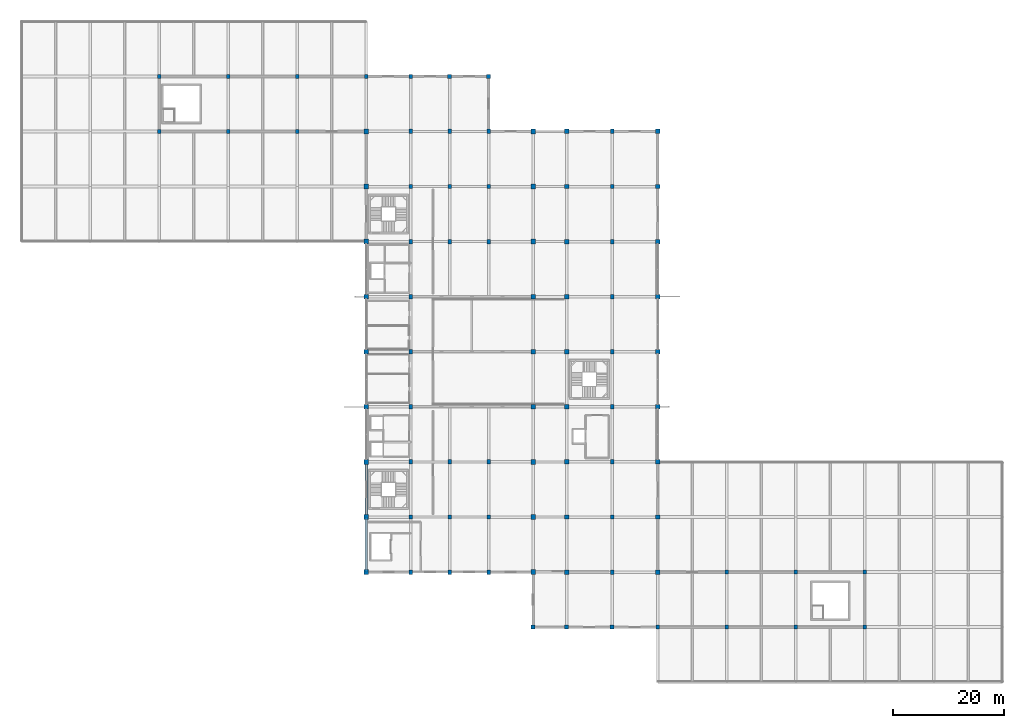
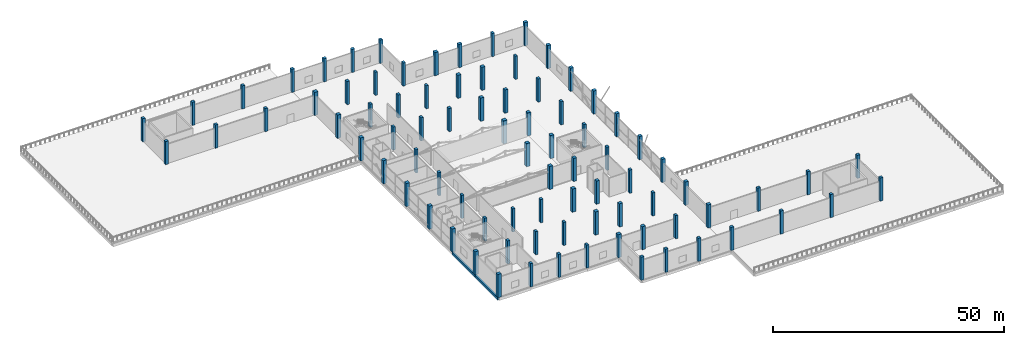
# One storey, part 1 of 46: 86 columns, 2 beams.
"""IFC4 building model written with IfcOpenShell, lengths in metres."""

import ifcopenshell
import ifcopenshell.guid

model = None  # the IFC model being written
_history = None  # IfcOwnerHistory: only IFC2X3 demands one
_inside = {}  # id of a spatial element -> (the spatial element, [elements in it])
_under = {}  # id of a project, library or spatial element -> (it, [spatial elements below it])
_declared = {}  # id of a project -> (the project, [libraries it declares])
_typed = {}  # id of a type object -> (the type object, [elements of that type])
_made_of = {}  # id of a material, layer set ... -> (it, [elements and type objects made of it])


def new_model(schema):
    """Start an empty IFC model of exactly this schema.

    Asked for "IFC4X3", IfcOpenShell would pick the latest addendum, in which some entities
    have other attributes; the version numbers below select the first issue.
    IFC2X3 requires an IfcOwnerHistory on every rooted entity: one is made here for all.
    """
    global model, _history
    if schema == "IFC4X3":
        model = ifcopenshell.file(schema_version=(4, 3, 0, 0))
    else:
        model = ifcopenshell.file(schema=schema)
    _inside.clear()
    _under.clear()
    _declared.clear()
    _typed.clear()
    _made_of.clear()
    _history = None
    if model.schema == "IFC2X3":
        org = make("IfcOrganization", Name="unknown")
        user = make(
            "IfcPersonAndOrganization",
            ThePerson=make("IfcPerson", FamilyName="unknown"),
            TheOrganization=org,
        )
        app = make(
            "IfcApplication",
            ApplicationDeveloper=org,
            Version="unknown",
            ApplicationFullName="unknown",
            ApplicationIdentifier="unknown",
        )
        _history = make(
            "IfcOwnerHistory",
            OwningUser=user,
            OwningApplication=app,
            ChangeAction="ADDED",
            CreationDate=0,
        )
    return model


def make(cls, **values):
    """One entity of the class cls with the attributes given. An attribute that is None is left unset."""
    return model.create_entity(
        cls, **{name: value for name, value in values.items() if value is not None}
    )


def rooted(cls, **values):
    """An entity with a GlobalId (a new one), such as an element, a storey or a relation."""
    return make(cls, GlobalId=ifcopenshell.guid.new(), OwnerHistory=_history, **values)


def si_unit(unit_type, name, prefix=None):
    """IfcSIUnit, for example si_unit("LENGTHUNIT", "METRE", prefix="MILLI")."""
    return make("IfcSIUnit", UnitType=unit_type, Prefix=prefix, Name=name)


def assignment(units):
    """IfcUnitAssignment: the units of a project."""
    return None if units is None else make("IfcUnitAssignment", Units=units)


def point(xyz):
    """IfcCartesianPoint."""
    return None if xyz is None else make("IfcCartesianPoint", Coordinates=xyz)


def direction(xyz):
    """IfcDirection."""
    return None if xyz is None else make("IfcDirection", DirectionRatios=xyz)


def frame(location, z_axis=None, x_axis=None):
    """IfcAxis2Placement3D, a coordinate frame: its origin and axes. An axis left out is left unset."""
    return make(
        "IfcAxis2Placement3D",
        Location=point(location),
        Axis=direction(z_axis),
        RefDirection=direction(x_axis),
    )


def frame_2d(location, x_axis=None):
    """IfcAxis2Placement2D, a coordinate frame in the plane: its origin and x axis."""
    return make(
        "IfcAxis2Placement2D", Location=point(location), RefDirection=direction(x_axis)
    )


def origin():
    """The frame at (0, 0, 0) with its axes left unset."""
    return frame((0.0, 0.0, 0.0))


def origin_2d():
    """The frame at (0, 0) in the plane with its x axis left unset."""
    return frame_2d((0.0, 0.0))


def place(relative_to, where):
    """IfcLocalPlacement: puts the frame where relative to a parent placement (None: the world)."""
    return make(
        "IfcLocalPlacement", PlacementRelTo=relative_to, RelativePlacement=where
    )


def context(
    kind, dimensions, precision=None, world=None, true_north=None, identifier=None
):
    """IfcGeometricRepresentationContext, for example the 3D "Model" context."""
    return make(
        "IfcGeometricRepresentationContext",
        ContextIdentifier=identifier,
        ContextType=kind,
        CoordinateSpaceDimension=dimensions,
        Precision=precision,
        WorldCoordinateSystem=world,
        TrueNorth=true_north,
    )


def subcontext(parent, identifier, kind, view, scale=None):
    """IfcGeometricRepresentationSubContext, for example "Body" below "Model"."""
    return make(
        "IfcGeometricRepresentationSubContext",
        ContextIdentifier=identifier,
        ContextType=kind,
        ParentContext=parent,
        TargetScale=scale,
        TargetView=view,
    )


def project(units=None, contexts=None):
    """IfcProject with its units and contexts."""
    return rooted(
        "IfcProject",
        Name="project",
        RepresentationContexts=contexts,
        UnitsInContext=assignment(units),
    )


def spatial(cls, under=None, at=None, **own):
    """A site, building, storey or space (cls), placed at a placement, below another one or the project."""
    s = rooted(cls, ObjectPlacement=at, **own)
    if under is not None:
        _under.setdefault(under.id(), (under, []))[1].append(s)
    return s


def profile(cls, at=None, kind="AREA", **sizes):
    """A parametric profile (cls). Its sizes go by their IFC names, for example OverallWidth=200.0."""
    return make(cls, ProfileType=kind, Position=at, **sizes)


def rectangle(**sizes):
    """IfcRectangleProfileDef."""
    return profile("IfcRectangleProfileDef", **sizes)


def extrude(swept, where, along, depth):
    """IfcExtrudedAreaSolid: the profile swept, set in the frame where, extruded along a direction by depth."""
    return make(
        "IfcExtrudedAreaSolid",
        SweptArea=swept,
        Position=where,
        ExtrudedDirection=direction(along),
        Depth=depth,
    )


def shape(context_of_items, identifier, shape_type, items):
    """IfcShapeRepresentation: the items that make up one representation, for example the "Body"."""
    return make(
        "IfcShapeRepresentation",
        ContextOfItems=context_of_items,
        RepresentationIdentifier=identifier,
        RepresentationType=shape_type,
        Items=items,
    )


def material(Name=None, Category=None):
    """IfcMaterial."""
    return make("IfcMaterial", Name=Name, Category=Category)


def material_profile(
    of_material, cross_section, Name=None, Category=None, Priority=None
):
    """IfcMaterialProfile: a cross section and its material."""
    return make(
        "IfcMaterialProfile",
        Name=Name,
        Material=of_material,
        Profile=cross_section,
        Priority=Priority,
        Category=Category,
    )


def profile_set(profiles, Name=None, composite=None):
    """IfcMaterialProfileSet."""
    return make(
        "IfcMaterialProfileSet",
        Name=Name,
        MaterialProfiles=profiles,
        CompositeProfile=composite,
    )


def made_of(thing, what):
    """Note that an element or type object is made of a material, layer set ...; save() writes the relation."""
    if what is not None:
        _made_of.setdefault(what.id(), (what, []))[1].append(thing)
    return thing


def type_object(cls, material=None, **own):
    """A type object (cls), such as IfcWallType, which elements share."""
    return made_of(rooted(cls, **own), material)


def element(
    cls,
    number,
    at=None,
    inside=None,
    cuts=None,
    type_object=None,
    material=None,
    context=None,
    identifier="Body",
    shape_type=None,
    held_by="IfcProductDefinitionShape",
    body=None,
    shapes=None,
    **own,
):
    """One element of the class cls, such as IfcWall. Its Tag is "e" and its number.

    at: its placement. inside: the storey or other place that contains it. cuts: it is an
    opening in that element (IfcRelVoidsElement). A single representation is given by context,
    identifier, shape_type and body (its items); several are given by shapes. held_by: the class
    of the entity that holds the representations. save() writes the other relations.
    """
    e = rooted(cls, Tag="e%d" % number, ObjectPlacement=at, **own)
    if body is not None:
        shapes = [shape(context, identifier, shape_type, body)]
    if shapes is not None:
        e.Representation = make(held_by, Representations=shapes)
    if inside is not None:
        _inside.setdefault(inside.id(), (inside, []))[1].append(e)
    if cuts is not None:
        rooted(
            "IfcRelVoidsElement", RelatingBuildingElement=cuts, RelatedOpeningElement=e
        )
    if type_object is not None:
        _typed.setdefault(type_object.id(), (type_object, []))[1].append(e)
    return made_of(e, material)


def aggregate(whole, parts):
    """IfcRelAggregates: a whole, such as a stair, and the parts it consists of."""
    return rooted("IfcRelAggregates", RelatingObject=whole, RelatedObjects=parts)


def save(model, path):
    """Write the relations noted so far, then the file.

    IfcRelAggregates (storeys below a building ...), IfcRelContainedInSpatialStructure (elements
    in a storey), IfcRelDefinesByType, IfcRelAssociatesMaterial and IfcRelDeclares: one each for
    every whole, place, type object, material and project.
    """
    for whole, parts in _under.values():
        aggregate(whole, parts)
    for where, things in _inside.values():
        rooted(
            "IfcRelContainedInSpatialStructure",
            RelatedElements=things,
            RelatingStructure=where,
        )
    for kind, things in _typed.values():
        rooted("IfcRelDefinesByType", RelatedObjects=things, RelatingType=kind)
    for what, things in _made_of.values():
        rooted("IfcRelAssociatesMaterial", RelatedObjects=things, RelatingMaterial=what)
    for by, libraries in _declared.values():
        rooted("IfcRelDeclares", RelatingContext=by, RelatedDefinitions=libraries)
    model.write(path)


model = new_model("IFC4")

# Units and contexts
model_context = context("Model", 3, precision=1e-05, world=origin(), true_north=direction((0.0, 1.0)))
body_context = subcontext(model_context, "Body", "Model", "MODEL_VIEW")
ifc_project = project(units=[si_unit("LENGTHUNIT", "METRE"), si_unit("AREAUNIT", "SQUARE_METRE"), si_unit("VOLUMEUNIT", "CUBIC_METRE"), si_unit("PLANEANGLEUNIT", "RADIAN"), si_unit("MASSUNIT", "GRAM", prefix="KILO")], contexts=[model_context])

# Site, building, storey
site_placement = place(None, origin())
site = spatial("IfcSite", under=ifc_project, at=site_placement, CompositionType="ELEMENT")
building_placement = place(site_placement, origin())
building = spatial("IfcBuilding", under=site, at=building_placement, Name="Sillaruma Civic Art Gallery", CompositionType="ELEMENT")
storey_placement = place(building_placement, frame((0.0, 0.0, 16.320068359375)))
storey = spatial("IfcBuildingStorey", under=building, at=storey_placement, Name="L03", CompositionType="ELEMENT", Elevation=16.320068359375)

# Columns
ifc_material_1 = material(Name="Concrete H40 (40 MPa)", Category="concrete")
ifc_material_profile_1 = material_profile(ifc_material_1, rectangle(XDim=0.699951171875, YDim=0.699951171875, at=origin_2d()), Name="RC700x700")
ifc_profile_set_1 = profile_set([ifc_material_profile_1], Name="Concrete H40 (40 MPa)")
column_type_1 = type_object("IfcColumnType", Name="COL-COLUMN-RC700x700", PredefinedType="COLUMN", material=ifc_profile_set_1)
for number, where, z_axis, x_axis, name in (
    (1, (24.800048828125, 99.0, 0.0), (0.0, 0.0, 1.0), (1.0, 0.0, 0.0), "Column C-06 (L03:C11)"),
    (2, (24.800048828125, 108.89990234375, 0.0), (0.0, 0.0, 1.0), (1.0, 0.0, 0.0), "Column C-06 (L03:C12)"),
    (3, (37.199951171875, 99.0, 0.0), (0.0, 0.0, 1.0), (1.0, 0.0, 0.0), "Column C-06 (L03:D11)"),
    (4, (37.199951171875, 108.89990234375, 0.0), (0.0, 0.0, 1.0), (1.0, 0.0, 0.0), "Column C-06 (L03:D12)"),
    (5, (49.60009765625, 99.0, 0.0), (0.0, 0.0, 1.0), (1.0, 0.0, 0.0), "Column C-06 (L03:E11)"),
    (6, (49.60009765625, 108.89990234375, 0.0), (0.0, 0.0, 1.0), (1.0, 0.0, 0.0), "Column C-06 (L03:E12)"),
    (7, (62.0, 108.89990234375, 0.0), (0.0, 0.0, 1.0), (1.0, 0.0, 0.0), "Column C-06 (L03:F12)"),
    (8, (70.0, 108.89990234375, 0.0), (0.0, 0.0, 1.0), (1.0, 0.0, 0.0), "Column C-06 (L03:G12)"),
    (9, (77.0, 108.89990234375, 0.0), (0.0, 0.0, 1.0), (1.0, 0.0, 0.0), "Column C-06 (L03:H12)"),
    (10, (84.0, 108.89990234375, 0.0), (0.0, 0.0, 1.0), (1.0, 0.0, 0.0), "Column C-06 (L03:J12)"),
    (11, (92.0, 9.89990234375, 0.0), (0.0, 0.0, 1.0), (1.0, 0.0, 0.0), "Column C-06 (L03:K2)"),
    (12, (98.0, 9.89990234375, 0.0), (0.0, 0.0, 1.0), (1.0, 0.0, 0.0), "Column C-06 (L03:L2)"),
    (13, (106.199951171875, 9.89990234375, 0.0), (0.0, 0.0, 1.0), (1.0, 0.0, 0.0), "Column C-06 (L03:M2)"),
    (14, (114.39990234375, 9.89990234375, 0.0), (0.0, 0.0, 1.0), (1.0, 0.0, 0.0), "Column C-06 (L03:N2)"),
    (15, (126.800048828125, 9.89990234375, 0.0), (0.0, 0.0, 1.0), (1.0, 0.0, 0.0), "Column C-06 (L03:P2)"),
    (16, (126.800048828125, 19.800048828125, 0.0), (0.0, 0.0, 1.0), (1.0, 0.0, 0.0), "Column C-06 (L03:P3)"),
    (17, (139.199951171875, 9.89990234375, 0.0), (0.0, 0.0, 1.0), (1.0, 0.0, 0.0), "Column C-06 (L03:Q2)"),
    (18, (139.199951171875, 19.800048828125, 0.0), (0.0, 0.0, 1.0), (1.0, 0.0, 0.0), "Column C-06 (L03:Q3)"),
    (19, (151.60009765625, 9.89990234375, 0.0), (0.0, 0.0, 1.0), (1.0, 0.0, 0.0), "Column C-06 (L03:R2)"),
    (20, (151.60009765625, 19.800048828125, 0.0), (0.0, 0.0, 1.0), (1.0, 0.0, 0.0), "Column C-06 (L03:R3)"),
):
    element("IfcColumn", number, at=place(storey_placement, frame(where, z_axis=z_axis, x_axis=x_axis)), inside=storey, type_object=column_type_1, Name=name, PredefinedType="COLUMN", context=body_context, shape_type="SweptSolid", body=[
        extrude(rectangle(XDim=0.699951171875, YDim=0.699951171875, at=origin_2d()), origin(), (0.0, 0.0, 1.0), 6.119873046875),
    ])
ifc_material_profile_2 = material_profile(ifc_material_1, rectangle(XDim=0.60009765625, YDim=0.800048828125, at=origin_2d()), Name="RC800x600")
ifc_profile_set_2 = profile_set([ifc_material_profile_2], Name="Concrete H40 (40 MPa)")
column_type_2 = type_object("IfcColumnType", Name="COL-COLUMN-RC800x600", PredefinedType="COLUMN", material=ifc_profile_set_2)
for number, where, z_axis, x_axis, name in (
    (21, (70.0, 19.800048828125, 0.0), (0.0, 0.0, 1.0), (1.0, 0.0, 0.0), "Column C-10 (L03:G3)"),
    (22, (70.0, 29.699951171875, 0.0), (0.0, 0.0, 1.0), (1.0, 0.0, 0.0), "Column C-10 (L03:G4)"),
    (23, (70.0, 39.60009765625, 0.0), (0.0, 0.0, 1.0), (1.0, 0.0, 0.0), "Column C-10 (L03:G5)"),
    (24, (70.0, 49.5, 0.0), (0.0, 0.0, 1.0), (1.0, 0.0, 0.0), "Column C-10 (L03:G6)"),
    (25, (70.0, 59.39990234375, 0.0), (0.0, 0.0, 1.0), (1.0, 0.0, 0.0), "Column C-10 (L03:G7)"),
    (26, (70.0, 69.300048828125, 0.0), (0.0, 0.0, 1.0), (1.0, 0.0, 0.0), "Column C-10 (L03:G8)"),
    (27, (70.0, 79.199951171875, 0.0), (0.0, 0.0, 1.0), (1.0, 0.0, 0.0), "Column C-10 (L03:G9)"),
    (28, (70.0, 89.10009765625, 0.0), (0.0, 0.0, 1.0), (1.0, 0.0, 0.0), "Column C-10 (L03:G10)"),
    (29, (70.0, 99.0, 0.0), (0.0, 0.0, 1.0), (1.0, 0.0, 0.0), "Column C-10 (L03:G11)"),
    (30, (77.0, 19.800048828125, 0.0), (0.0, 0.0, 1.0), (1.0, 0.0, 0.0), "Column C-10 (L03:H3)"),
    (31, (77.0, 29.699951171875, 0.0), (0.0, 0.0, 1.0), (1.0, 0.0, 0.0), "Column C-10 (L03:H4)"),
    (32, (77.0, 39.60009765625, 0.0), (0.0, 0.0, 1.0), (1.0, 0.0, 0.0), "Column C-10 (L03:H5)"),
    (33, (77.0, 79.199951171875, 0.0), (0.0, 0.0, 1.0), (1.0, 0.0, 0.0), "Column C-10 (L03:H9)"),
    (34, (77.0, 89.10009765625, 0.0), (0.0, 0.0, 1.0), (1.0, 0.0, 0.0), "Column C-10 (L03:H10)"),
    (35, (77.0, 99.0, 0.0), (0.0, 0.0, 1.0), (1.0, 0.0, 0.0), "Column C-10 (L03:H11)"),
    (36, (84.0, 19.800048828125, 0.0), (0.0, 0.0, 1.0), (1.0, 0.0, 0.0), "Column C-10 (L03:J3)"),
    (37, (84.0, 29.699951171875, 0.0), (0.0, 0.0, 1.0), (1.0, 0.0, 0.0), "Column C-10 (L03:J4)"),
    (38, (84.0, 39.60009765625, 0.0), (0.0, 0.0, 1.0), (1.0, 0.0, 0.0), "Column C-10 (L03:J5)"),
    (39, (84.0, 79.199951171875, 0.0), (0.0, 0.0, 1.0), (1.0, 0.0, 0.0), "Column C-10 (L03:J9)"),
    (40, (84.0, 89.10009765625, 0.0), (0.0, 0.0, 1.0), (1.0, 0.0, 0.0), "Column C-10 (L03:J10)"),
    (41, (84.0, 99.0, 0.0), (0.0, 0.0, 1.0), (1.0, 0.0, 0.0), "Column C-10 (L03:J11)"),
    (42, (106.199951171875, 19.800048828125, 0.0), (0.0, 0.0, 1.0), (1.0, 0.0, 0.0), "Column C-10 (L03:M3)"),
    (43, (106.199951171875, 29.699951171875, 0.0), (0.0, 0.0, 1.0), (1.0, 0.0, 0.0), "Column C-10 (L03:M4)"),
    (44, (106.199951171875, 39.60009765625, 0.0), (0.0, 0.0, 1.0), (1.0, 0.0, 0.0), "Column C-10 (L03:M5)"),
    (45, (106.199951171875, 49.5, 0.0), (0.0, 0.0, 1.0), (1.0, 0.0, 0.0), "Column C-10 (L03:M6)"),
    (46, (106.199951171875, 59.39990234375, 0.0), (0.0, 0.0, 1.0), (1.0, 0.0, 0.0), "Column C-10 (L03:M7)"),
    (47, (106.199951171875, 69.300048828125, 0.0), (0.0, 0.0, 1.0), (1.0, 0.0, 0.0), "Column C-10 (L03:M8)"),
    (48, (106.199951171875, 79.199951171875, 0.0), (0.0, 0.0, 1.0), (1.0, 0.0, 0.0), "Column C-10 (L03:M9)"),
    (49, (106.199951171875, 89.10009765625, 0.0), (0.0, 0.0, 1.0), (1.0, 0.0, 0.0), "Column C-10 (L03:M10)"),
    (50, (106.199951171875, 99.0, 0.0), (0.0, 0.0, 1.0), (1.0, 0.0, 0.0), "Column C-10 (L03:M11)"),
):
    element("IfcColumn", number, at=place(storey_placement, frame(where, z_axis=z_axis, x_axis=x_axis)), inside=storey, type_object=column_type_2, Name=name, PredefinedType="COLUMN", context=body_context, shape_type="SweptSolid", body=[
        extrude(rectangle(XDim=0.60009765625, YDim=0.800048828125, at=origin_2d()), origin(), (0.0, 0.0, 1.0), 6.119873046875),
    ])
ifc_material_profile_3 = material_profile(ifc_material_1, rectangle(XDim=0.800048828125, YDim=0.800048828125, at=origin_2d()), Name="RC800x800")
ifc_profile_set_3 = profile_set([ifc_material_profile_3], Name="Concrete H40 (40 MPa)")
column_type_3 = type_object("IfcColumnType", Name="COL-COLUMN-RC800x800", PredefinedType="COLUMN", material=ifc_profile_set_3)
for number, where, z_axis, x_axis, name in (
    (51, (98.0, 19.800048828125, 0.0), (0.0, 0.0, 1.0), (1.0, 0.0, 0.0), "Column C-04 (L03:L3)"),
    (52, (98.0, 29.699951171875, 0.0), (0.0, 0.0, 1.0), (1.0, 0.0, 0.0), "Column C-04 (L03:L4)"),
    (53, (98.0, 39.60009765625, 0.0), (0.0, 0.0, 1.0), (1.0, 0.0, 0.0), "Column C-04 (L03:L5)"),
    (54, (98.0, 49.5, 0.0), (0.0, 0.0, 1.0), (1.0, 0.0, 0.0), "Column C-04 (L03:L6)"),
    (55, (98.0, 59.39990234375, 0.0), (0.0, 0.0, 1.0), (1.0, 0.0, 0.0), "Column C-04 (L03:L7)"),
    (56, (98.0, 69.300048828125, 0.0), (0.0, 0.0, 1.0), (1.0, 0.0, 0.0), "Column C-04 (L03:L8)"),
    (57, (98.0, 79.199951171875, 0.0), (0.0, 0.0, 1.0), (1.0, 0.0, 0.0), "Column C-04 (L03:L9)"),
    (58, (98.0, 89.10009765625, 0.0), (0.0, 0.0, 1.0), (1.0, 0.0, 0.0), "Column C-04 (L03:L10)"),
    (59, (98.0, 99.0, 0.0), (0.0, 0.0, 1.0), (1.0, 0.0, 0.0), "Column C-04 (L03:L11)"),
    (60, (114.39990234375, 19.800048828125, 0.0), (0.0, 0.0, 1.0), (1.0, 0.0, 0.0), "Column C-04 (L03:N3)"),
    (61, (114.39990234375, 29.699951171875, 0.0), (0.0, 0.0, 1.0), (1.0, 0.0, 0.0), "Column C-04 (L03:N4)"),
    (62, (114.39990234375, 39.60009765625, 0.0), (0.0, 0.0, 1.0), (1.0, 0.0, 0.0), "Column C-04 (L03:N5)"),
    (63, (114.39990234375, 49.5, 0.0), (0.0, 0.0, 1.0), (1.0, 0.0, 0.0), "Column C-04 (L03:N6)"),
    (64, (114.39990234375, 59.39990234375, 0.0), (0.0, 0.0, 1.0), (1.0, 0.0, 0.0), "Column C-04 (L03:N7)"),
    (65, (114.39990234375, 69.300048828125, 0.0), (0.0, 0.0, 1.0), (1.0, 0.0, 0.0), "Column C-04 (L03:N8)"),
    (66, (114.39990234375, 79.199951171875, 0.0), (0.0, 0.0, 1.0), (1.0, 0.0, 0.0), "Column C-04 (L03:N9)"),
    (67, (114.39990234375, 89.10009765625, 0.0), (0.0, 0.0, 1.0), (1.0, 0.0, 0.0), "Column C-04 (L03:N10)"),
    (68, (114.39990234375, 99.0, 0.0), (0.0, 0.0, 1.0), (1.0, 0.0, 0.0), "Column C-04 (L03:N11)"),
):
    element("IfcColumn", number, at=place(storey_placement, frame(where, z_axis=z_axis, x_axis=x_axis)), inside=storey, type_object=column_type_3, Name=name, PredefinedType="COLUMN", context=body_context, shape_type="SweptSolid", body=[
        extrude(rectangle(XDim=0.800048828125, YDim=0.800048828125, at=origin_2d()), origin(), (0.0, 0.0, 1.0), 6.119873046875),
    ])
ifc_material_profile_4 = material_profile(ifc_material_1, rectangle(XDim=0.85009765625, YDim=0.85009765625, at=origin_2d()), Name="RC850x850")
ifc_profile_set_4 = profile_set([ifc_material_profile_4], Name="Concrete H40 (40 MPa)")
column_type_4 = type_object("IfcColumnType", Name="COL-COLUMN-RC850x850", PredefinedType="COLUMN", material=ifc_profile_set_4)
for number, where, z_axis, x_axis, name in (
    (69, (62.0, 19.800048828125, 0.0), (0.0, 0.0, 1.0), (1.0, 0.0, 0.0), "Column C-03 (L03:F3)"),
    (70, (62.0, 29.699951171875, 0.0), (0.0, 0.0, 1.0), (1.0, 0.0, 0.0), "Column C-03 (L03:F4)"),
    (71, (62.0, 39.60009765625, 0.0), (0.0, 0.0, 1.0), (1.0, 0.0, 0.0), "Column C-03 (L03:F5)"),
    (72, (62.0, 49.5, 0.0), (0.0, 0.0, 1.0), (1.0, 0.0, 0.0), "Column C-03 (L03:F6)"),
    (73, (62.0, 59.39990234375, 0.0), (0.0, 0.0, 1.0), (1.0, 0.0, 0.0), "Column C-03 (L03:F7)"),
    (74, (62.0, 69.300048828125, 0.0), (0.0, 0.0, 1.0), (1.0, 0.0, 0.0), "Column C-03 (L03:F8)"),
    (75, (62.0, 79.199951171875, 0.0), (0.0, 0.0, 1.0), (1.0, 0.0, 0.0), "Column C-03 (L03:F9)"),
    (76, (62.0, 89.10009765625, 0.0), (0.0, 0.0, 1.0), (1.0, 0.0, 0.0), "Column C-03 (L03:F10)"),
    (77, (62.0, 99.0, 0.0), (0.0, 0.0, 1.0), (1.0, 0.0, 0.0), "Column C-03 (L03:F11)"),
    (78, (92.0, 19.800048828125, 0.0), (0.0, 0.0, 1.0), (1.0, 0.0, 0.0), "Column C-03 (L03:K3)"),
    (79, (92.0, 29.699951171875, 0.0), (0.0, 0.0, 1.0), (1.0, 0.0, 0.0), "Column C-03 (L03:K4)"),
    (80, (92.0, 39.60009765625, 0.0), (0.0, 0.0, 1.0), (1.0, 0.0, 0.0), "Column C-03 (L03:K5)"),
    (81, (92.0, 49.5, 0.0), (0.0, 0.0, 1.0), (1.0, 0.0, 0.0), "Column C-03 (L03:K6)"),
    (82, (92.0, 59.39990234375, 0.0), (0.0, 0.0, 1.0), (1.0, 0.0, 0.0), "Column C-03 (L03:K7)"),
    (83, (92.0, 69.300048828125, 0.0), (0.0, 0.0, 1.0), (1.0, 0.0, 0.0), "Column C-03 (L03:K8)"),
    (84, (92.0, 79.199951171875, 0.0), (0.0, 0.0, 1.0), (1.0, 0.0, 0.0), "Column C-03 (L03:K9)"),
    (85, (92.0, 89.10009765625, 0.0), (0.0, 0.0, 1.0), (1.0, 0.0, 0.0), "Column C-03 (L03:K10)"),
    (86, (92.0, 99.0, 0.0), (0.0, 0.0, 1.0), (1.0, 0.0, 0.0), "Column C-03 (L03:K11)"),
):
    element("IfcColumn", number, at=place(storey_placement, frame(where, z_axis=z_axis, x_axis=x_axis)), inside=storey, type_object=column_type_4, Name=name, PredefinedType="COLUMN", context=body_context, shape_type="SweptSolid", body=[
        extrude(rectangle(XDim=0.85009765625, YDim=0.85009765625, at=origin_2d()), origin(), (0.0, 0.0, 1.0), 6.119873046875),
    ])

# Beams
ifc_material_2 = material(Name="Concrete H35 (35 MPa)", Category="concrete")
ifc_material_profile_5 = material_profile(ifc_material_2, rectangle(XDim=0.449951171875, YDim=0.699951171875, at=origin_2d()), Name="RCB450x700")
ifc_profile_set_5 = profile_set([ifc_material_profile_5], Name="Concrete H35 (35 MPa)")
beam_type = type_object("IfcBeamType", Name="BM-SPANDREL-RCB450x700", PredefinedType="SPANDREL", material=ifc_profile_set_5)
beam_1_placement = place(storey_placement, frame((62.0, 19.800048828125, -0.630126953125), z_axis=(0.0, 1.0, 0.0), x_axis=(-1.0, 0.0, 0.0)))
element("IfcBeam", 87, at=beam_1_placement, inside=storey, type_object=beam_type, Name="Beam BS-03 (L02:F:3-4)", PredefinedType="SPANDREL", context=body_context, shape_type="SweptSolid", body=[
    extrude(rectangle(XDim=0.449951171875, YDim=0.699951171875, at=origin_2d()), origin(), (0.0, 0.0, 1.0), 9.89990234375),
])
beam_2_placement = place(storey_placement, frame((62.0, 29.699951171875, -0.630126953125), z_axis=(0.0, 1.0, 0.0), x_axis=(-1.0, 0.0, 0.0)))
element("IfcBeam", 88, at=beam_2_placement, inside=storey, type_object=beam_type, Name="Beam BS-03 (L02:F:4-5)", PredefinedType="SPANDREL", context=body_context, shape_type="SweptSolid", body=[
    extrude(rectangle(XDim=0.449951171875, YDim=0.699951171875, at=origin_2d()), origin(), (0.0, 0.0, 1.0), 9.900146484375),
])

save(model, "model.ifc")
